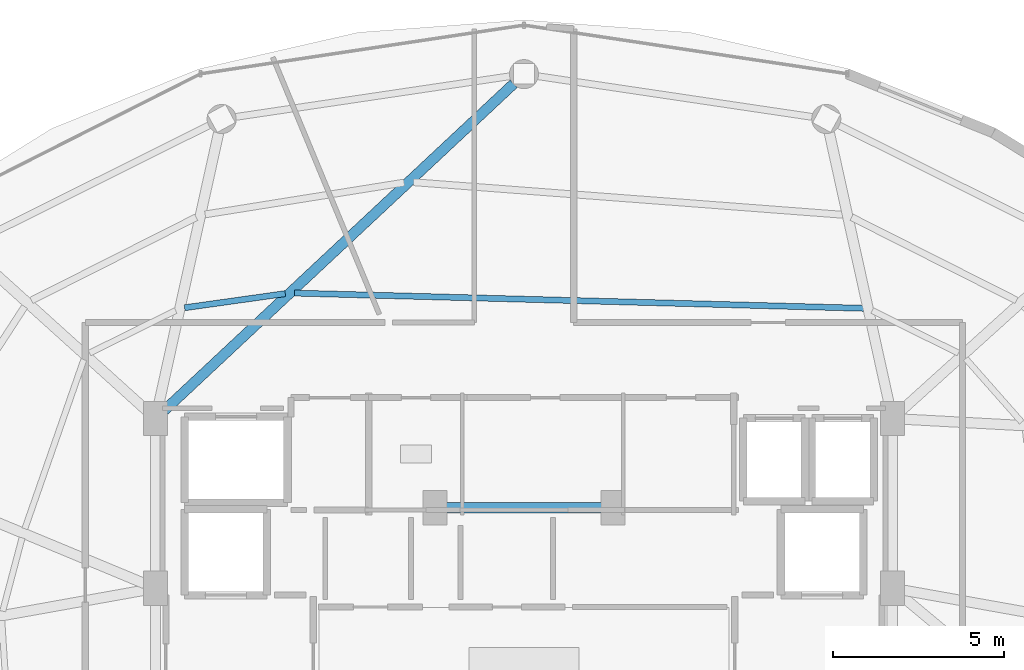
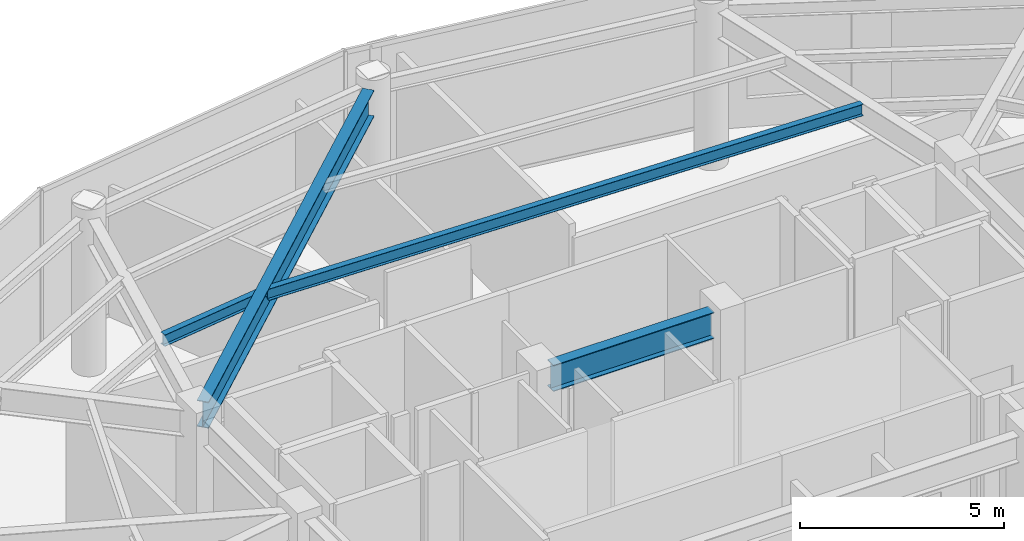
# One storey, part 10 of 24: 4 beams.
"""IFC4 building model written with IfcOpenShell, lengths in metres."""

from ifc_helpers import new_model, si_unit, direction, frame, origin, origin_2d, place, context, subcontext, project, spatial, i_section, extrude, material, material_profile, profile_set, type_object, element, save


model = new_model("IFC4")

# Units and contexts
model_context = context("Model", 3, precision=1e-05, world=origin(), true_north=direction((0.0, 1.0)))
body_context = subcontext(model_context, "Body", "Model", "MODEL_VIEW")
ifc_project = project(units=[si_unit("LENGTHUNIT", "METRE"), si_unit("AREAUNIT", "SQUARE_METRE"), si_unit("VOLUMEUNIT", "CUBIC_METRE"), si_unit("PLANEANGLEUNIT", "RADIAN"), si_unit("MASSUNIT", "GRAM", prefix="KILO")], contexts=[model_context])

# Site, building, storey
site_placement = place(None, origin())
site = spatial("IfcSite", under=ifc_project, at=site_placement, CompositionType="ELEMENT")
building_placement = place(site_placement, origin())
building = spatial("IfcBuilding", under=site, at=building_placement, Name="Vorneva Point Tower", CompositionType="ELEMENT")
storey_placement = place(building_placement, frame((0.0, 0.0, 290.39990234375)))
storey = spatial("IfcBuildingStorey", under=building, at=storey_placement, Name="L78", CompositionType="ELEMENT", Elevation=290.39990234375)

# Beams
ifc_material = material(Name="Steel S355", Category="steel")
ifc_material_profile_1 = material_profile(ifc_material, i_section(OverallWidth=0.300048828125, OverallDepth=0.7880859375, WebThickness=0.014404296875, FlangeThickness=0.02197265625, at=origin_2d()), Name="80Sh1")
ifc_profile_set_1 = profile_set([ifc_material_profile_1], Name="Steel S355")
beam_type_1 = type_object("IfcBeamType", Name="BM-GRD-80Sh1", PredefinedType="USERDEFINED", material=ifc_profile_set_1)
beam_1_placement = place(storey_placement, frame((37.6982421875, 42.91796875, 4.326171875), z_axis=(-0.730485790946, -0.682927894602, 0.0), x_axis=(0.682927894602, -0.730485790946, 0.0)))
element("IfcBeam", 1, at=beam_1_placement, inside=storey, type_object=beam_type_1, Name="L78 Radial Primary Girder 05", ObjectType="GIRDER", PredefinedType="USERDEFINED", context=body_context, shape_type="SweptSolid", body=[
    extrude(i_section(OverallWidth=0.300048828125, OverallDepth=0.7880859375, WebThickness=0.014404296875, FlangeThickness=0.02197265625, at=origin_2d()), origin(), (0.0, 0.0, 1.0), 13.963134765625),
])
beam_2_placement = place(storey_placement, frame((35.719970703125, 30.550048828125, 4.326171875), z_axis=(1.0, 0.0, 0.0), x_axis=(0.0, 1.0, 0.0)))
element("IfcBeam", 2, at=beam_2_placement, inside=storey, type_object=beam_type_1, Name="L78 Core Tie Girder CT8", ObjectType="GIRDER", PredefinedType="USERDEFINED", context=body_context, shape_type="SweptSolid", body=[
    extrude(i_section(OverallWidth=0.300048828125, OverallDepth=0.7880859375, WebThickness=0.014404296875, FlangeThickness=0.02197265625, at=origin_2d()), origin(), (0.0, 0.0, 1.0), 4.56005859375),
])
ifc_material_profile_2 = material_profile(ifc_material, i_section(OverallWidth=0.174072265625, OverallDepth=0.345947265625, WebThickness=0.006103515625, FlangeThickness=0.009033203125, at=origin_2d()), Name="35B1")
ifc_profile_set_2 = profile_set([ifc_material_profile_2], Name="Steel S355")
beam_type_2 = type_object("IfcBeamType", Name="BM-SEC-35B1", PredefinedType="BEAM", material=ifc_profile_set_2)
beam_3_placement = place(storey_placement, frame((47.902587890625, 36.36767578125, 4.547119140625), z_axis=(-0.99964288127, 0.026722835299, 0.0), x_axis=(-0.026722835299, -0.99964288127, 0.0)))
element("IfcBeam", 3, at=beam_3_placement, inside=storey, type_object=beam_type_2, Name="L78 Secondary Floor Beam 2.04", PredefinedType="BEAM", context=body_context, shape_type="SweptSolid", body=[
    extrude(i_section(OverallWidth=0.174072265625, OverallDepth=0.345947265625, WebThickness=0.006103515625, FlangeThickness=0.009033203125, at=origin_2d()), origin(), (0.0, 0.0, 1.0), 16.60009765625),
])
beam_4_placement = place(storey_placement, frame((31.03369140625, 36.7958984375, 4.547119140625), z_axis=(-0.990269518914, -0.139162782056, 0.0), x_axis=(0.139162782056, -0.990269518914, 0.0)))
element("IfcBeam", 4, at=beam_4_placement, inside=storey, type_object=beam_type_2, Name="L78 Secondary Floor Beam 2.05", PredefinedType="BEAM", context=body_context, shape_type="SweptSolid", body=[
    extrude(i_section(OverallWidth=0.174072265625, OverallDepth=0.345947265625, WebThickness=0.006103515625, FlangeThickness=0.009033203125, at=origin_2d()), origin(), (0.0, 0.0, 1.0), 2.966552734375),
])

save(model, "model.ifc")
